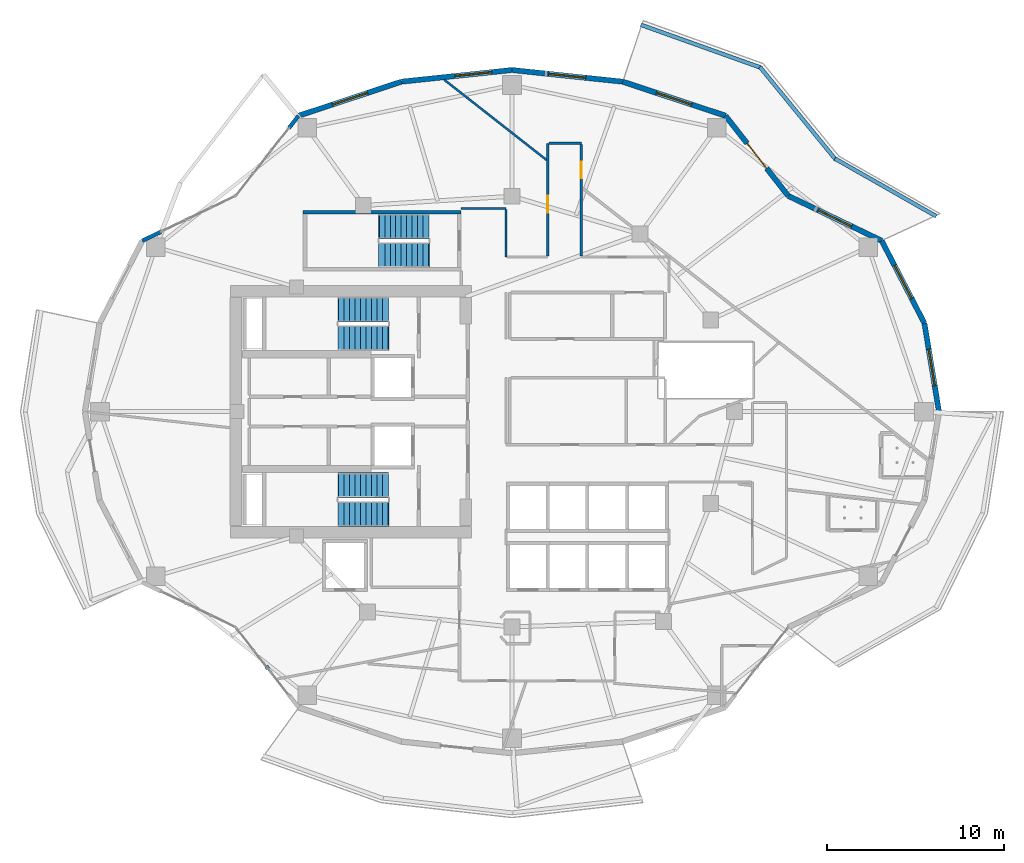
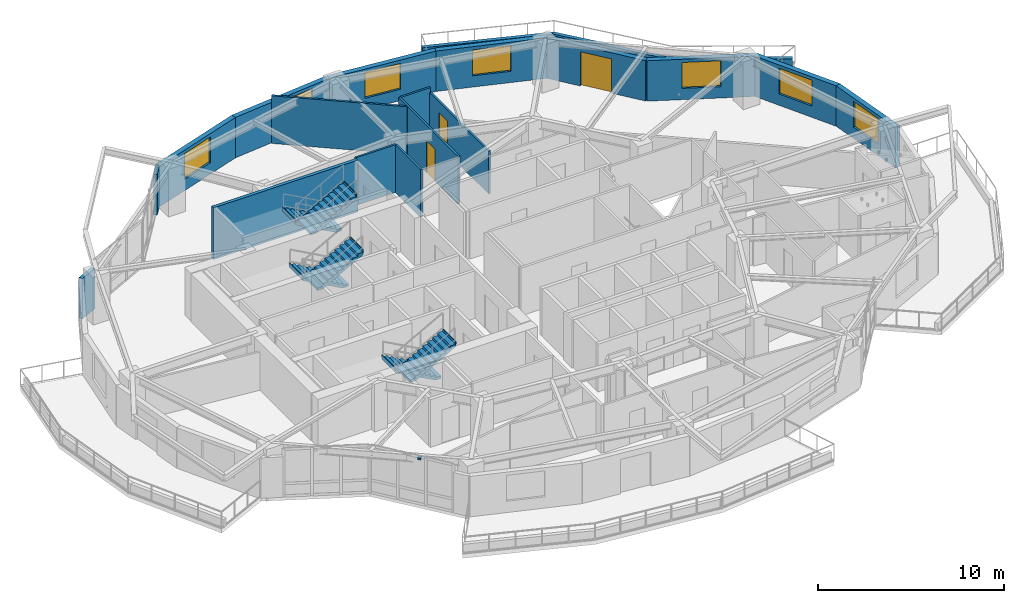
# One storey, part 11 of 18: 20 walls, 7 windows, 6 stair flights, 3 doors, 1 discrete accessory, 10 openings, 3 elements without a shape of their own.
"""IFC4 building model written with IfcOpenShell, lengths in metres."""

from ifc_helpers import new_model, si_unit, direction, frame, frame_2d, origin, origin_2d, place, context, subcontext, project, spatial, polyline, rectangle, outline, extrude, material, layer, layer_set, type_object, element, fill, aggregate, save


model = new_model("IFC4")

# Units and contexts
model_context = context("Model", 3, precision=1e-05, world=origin(), true_north=direction((0.0, 1.0)))
body_context = subcontext(model_context, "Body", "Model", "MODEL_VIEW")
ifc_project = project(units=[si_unit("LENGTHUNIT", "METRE"), si_unit("AREAUNIT", "SQUARE_METRE"), si_unit("VOLUMEUNIT", "CUBIC_METRE"), si_unit("PLANEANGLEUNIT", "RADIAN"), si_unit("MASSUNIT", "GRAM", prefix="KILO")], contexts=[model_context])

# Site, building, storey
site_placement = place(None, origin())
site = spatial("IfcSite", under=ifc_project, at=site_placement, CompositionType="ELEMENT")
building_placement = place(site_placement, origin())
building = spatial("IfcBuilding", under=site, at=building_placement, Name="Kolvaren Gate Tower and Convention Centre", CompositionType="ELEMENT")
storey_placement = place(building_placement, frame((0.0, 0.0, 115.5)))
storey = spatial("IfcBuildingStorey", under=building, at=storey_placement, Name="L28", CompositionType="ELEMENT", Elevation=115.5)

# Walls
ifc_material_1 = material(Name="Fire-Rated Acoustic Gypsum Stud Partition", Category="gypsum")
ifc_layer_1 = layer(ifc_material_1, 0.1201171875)
ifc_layer_set_1 = layer_set([ifc_layer_1], Name="Fire-Rated Acoustic Gypsum Stud Partition")
wall_type_1 = type_object("IfcWallType", Name="ARCH-WL-PART-120", PredefinedType="PARTITIONING", material=ifc_layer_set_1)
wall_1_placement = place(storey_placement, frame((27.25, 38.5, 0.0), z_axis=(0.0, 0.0, 1.0), x_axis=(1.0, 0.0, 0.0)))
element("IfcWall", 1, at=wall_1_placement, inside=storey, type_object=wall_type_1, Name="Interior Partition WL-L28-INT-029", PredefinedType="PARTITIONING", context=body_context, shape_type="SweptSolid", body=[
    extrude(rectangle(XDim=2.530029296875, YDim=0.1201171875, at=frame_2d((1.26513671875, 0.0))), origin(), (0.0, 0.0, 1.0), 3.1298828125),
])
wall_2_placement = place(storey_placement, frame((29.780029296875, 35.75, 0.0), z_axis=(0.0, 0.0, 1.0), x_axis=(0.0, 1.0, 0.0)))
element("IfcWall", 2, at=wall_2_placement, inside=storey, type_object=wall_type_1, Name="Interior Partition WL-L28-INT-033", PredefinedType="PARTITIONING", context=body_context, shape_type="SweptSolid", body=[
    extrude(rectangle(XDim=2.68798828125, YDim=0.1201171875, at=frame_2d((1.343994140625, 0.0))), origin(), (0.0, 0.0, 1.0), 3.1298828125),
])

# Wall, opening, door
wall_3_placement = place(storey_placement, frame((32.14990234375, 35.81201171875, 0.0), z_axis=(0.0, 0.0, 1.0), x_axis=(0.0, 1.0, 0.0)))
wall_3 = element("IfcWall", 3, at=wall_3_placement, inside=storey, type_object=wall_type_1, Name="Interior Partition WL-L28-INT-036", PredefinedType="PARTITIONING", context=body_context, shape_type="SweptSolid", body=[
    extrude(rectangle(XDim=6.387939453125, YDim=0.1201171875, at=frame_2d((3.19384765625, 0.0))), origin(), (0.0, 0.0, 1.0), 3.1298828125),
])
opening_1_placement = place(wall_3_placement, frame((2.45751953125, 0.0, 0.0)))
opening_1 = element("IfcOpeningElement", 4, at=opening_1_placement, cuts=wall_3, Name="Opening DR-01", PredefinedType="OPENING", context=body_context, shape_type="SweptSolid", body=[
    extrude(rectangle(XDim=0.949951171875, YDim=2.10009765625, at=frame_2d((0.47509765625, 1.050048828125))), frame((0.0, 0.070068359375, 0.0), z_axis=(0.0, -1.0, 0.0), x_axis=(1.0, 0.0, 0.0)), (0.0, 0.0, 1.0), 0.14013671875),
])
ifc_material_2 = material(Name="Painted Architectural Steelwork ASTM A500 Grade C 345 MPa", Category="steel")
door_type_1 = type_object("IfcDoorType", Name="ARCH-DR-RISER-950", OperationType="SINGLE_SWING_RIGHT", PredefinedType="DOOR", material=ifc_material_2)
door_1_placement = place(opening_1_placement, origin())
door_1 = element("IfcDoor", 5, at=door_1_placement, inside=storey, type_object=door_type_1, Name="Hotel Botanical Clubroom Door", OperationType="SINGLE_SWING_RIGHT", OverallHeight=2.10009765625, OverallWidth=0.949951171875, PredefinedType="DOOR", context=body_context, shape_type="SweptSolid", body=[
    extrude(rectangle(XDim=0.949951171875, YDim=2.10009765625, at=frame_2d((0.47509765625, 1.050048828125))), frame((0.0, 0.02490234375, 0.0), z_axis=(0.0, -1.0, 0.0), x_axis=(1.0, 0.0, 0.0)), (0.0, 0.0, 1.0), 0.050048828125),
])
fill(opening_1, door_1)

# Wall
wall_4_placement = place(storey_placement, frame((32.2119140625, 42.199951171875, 0.0), z_axis=(0.0, 0.0, 1.0), x_axis=(1.0, 0.0, 0.0)))
element("IfcWall", 6, at=wall_4_placement, inside=storey, type_object=wall_type_1, Name="Interior Partition WL-L28-INT-037", PredefinedType="PARTITIONING", context=body_context, shape_type="SweptSolid", body=[
    extrude(rectangle(XDim=1.838134765625, YDim=0.1201171875, at=frame_2d((0.9189453125, 0.0))), origin(), (0.0, 0.0, 1.0), 3.1298828125),
])

# Wall, opening, door
wall_5_placement = place(storey_placement, frame((34.050048828125, 35.81201171875, 0.0), z_axis=(0.0, 0.0, 1.0), x_axis=(0.0, 1.0, 0.0)))
wall_5 = element("IfcWall", 7, at=wall_5_placement, inside=storey, type_object=wall_type_1, Name="Interior Partition WL-L28-INT-038", PredefinedType="PARTITIONING", context=body_context, shape_type="SweptSolid", body=[
    extrude(rectangle(XDim=6.325927734375, YDim=0.1201171875, at=frame_2d((3.1630859375, 0.0))), origin(), (0.0, 0.0, 1.0), 2.81201171875),
])
opening_2_placement = place(wall_5_placement, frame((4.400390625, 0.0, 0.0)))
opening_2 = element("IfcOpeningElement", 8, at=opening_2_placement, cuts=wall_5, Name="Opening DR-01", PredefinedType="OPENING", context=body_context, shape_type="SweptSolid", body=[
    extrude(rectangle(XDim=0.949951171875, YDim=2.10009765625, at=frame_2d((0.47509765625, 1.050048828125))), frame((0.0, 0.070068359375, 0.0), z_axis=(0.0, -1.0, 0.0), x_axis=(1.0, 0.0, 0.0)), (0.0, 0.0, 1.0), 0.14013671875),
])
door_2_placement = place(opening_2_placement, origin())
door_2 = element("IfcDoor", 9, at=door_2_placement, inside=storey, type_object=door_type_1, Name="Hotel Botanical Clubroom Door", OperationType="SINGLE_SWING_LEFT", OverallHeight=2.10009765625, OverallWidth=0.949951171875, PredefinedType="DOOR", context=body_context, shape_type="SweptSolid", body=[
    extrude(rectangle(XDim=0.949951171875, YDim=2.10009765625, at=frame_2d((0.47509765625, 1.050048828125))), frame((0.0, 0.02490234375, 0.0), z_axis=(0.0, -1.0, 0.0), x_axis=(1.0, 0.0, 0.0)), (0.0, 0.0, 1.0), 0.050048828125),
])
fill(opening_2, door_2)

# Walls
wall_6_placement = place(storey_placement, frame((26.292236328125, 45.79345703125, 0.0), z_axis=(0.0, 0.0, 1.0), x_axis=(0.786866672651, -0.617123034307, 0.0)))
element("IfcWall", 10, at=wall_6_placement, inside=storey, type_object=wall_type_1, Name="Interior Partition WL-L28-INT-067", PredefinedType="PARTITIONING", context=body_context, shape_type="SweptSolid", body=[
    extrude(rectangle(XDim=7.365478515625, YDim=0.1201171875, at=frame_2d((3.6826171875, 0.0))), origin(), (0.0, 0.0, 1.0), 3.1298828125),
])
ifc_material_3 = material(Name="Bogota Sabana Bush-Hammered Sandstone Cladding", Category="masonry")
ifc_layer_2 = layer(ifc_material_3, 0.219970703125)
ifc_layer_set_2 = layer_set([ifc_layer_2], Name="Bogota Sabana Bush-Hammered Sandstone Cladding")
wall_type_2 = type_object("IfcWallType", Name="ARCH-WL-PIER-220", PredefinedType="SOLIDWALL", material=ifc_layer_set_2)
wall_7_placement = place(storey_placement, frame((17.491455078125, 43.06787109375, 0.0), z_axis=(0.0, 0.0, 1.0), x_axis=(0.616330810297, 0.787487353726, 0.0)))
element("IfcWall", 11, at=wall_7_placement, inside=storey, type_object=wall_type_2, Name="Tower L28 Unitised Curtain Wall CW-HTL-UNIT Bay 08 Right Column Pier Wrap", PredefinedType="SOLIDWALL", context=body_context, shape_type="SweptSolid", body=[
    extrude(rectangle(XDim=0.875732421875, YDim=0.219970703125, at=frame_2d((0.43798828125, 0.0))), origin(), (0.0, 0.0, 1.0), 2.653076171875),
])
wall_8_placement = place(storey_placement, frame((9.177978515625, 36.675048828125, 0.0), z_axis=(0.0, 0.0, 1.0), x_axis=(0.901426247285, 0.432932697664, 0.0)))
element("IfcWall", 12, at=wall_8_placement, inside=storey, type_object=wall_type_2, Name="Tower L28 Unitised Curtain Wall CW-HTL-UNIT Bay 09 Left Column Pier Wrap", PredefinedType="SOLIDWALL", context=body_context, shape_type="SweptSolid", body=[
    extrude(rectangle(XDim=1.180908203125, YDim=0.219970703125, at=frame_2d((0.59033203125, 0.0))), origin(), (0.0, 0.0, 1.0), 2.653076171875),
])
ifc_material_4 = material(Name="Piedmont Cream Honed Limestone Cladding", Category="masonry")
ifc_layer_3 = layer(ifc_material_4, 0.219970703125)
ifc_layer_set_3 = layer_set([ifc_layer_3], Name="Piedmont Cream Honed Limestone Cladding")
wall_type_3 = type_object("IfcWallType", Name="ARCH-WL-PLANTER-220", PredefinedType="PARAPET", material=ifc_layer_set_3)
wall_9_placement = place(storey_placement, frame((48.41259765625, 41.332275390625, 0.0), z_axis=(0.0, 0.0, 1.0), x_axis=(0.869187658335, -0.494482370361, 0.0)))
element("IfcWall", 13, at=wall_9_placement, inside=storey, type_object=wall_type_3, Name="Vertical-Forest Balcony Stone Planter Kerb PK-L28-1.1", PredefinedType="PARAPET", context=body_context, shape_type="SweptSolid", body=[
    extrude(rectangle(XDim=6.606201171875, YDim=0.219970703125, at=frame_2d((3.30322265625, 0.0))), origin(), (0.0, 0.0, 1.0), 0.52001953125),
])
wall_10_placement = place(storey_placement, frame((44.1669921875, 46.523193359375, 0.0), z_axis=(0.0, 0.0, 1.0), x_axis=(0.633002467947, -0.77414977593, 0.0)))
element("IfcWall", 14, at=wall_10_placement, inside=storey, type_object=wall_type_3, Name="Vertical-Forest Balcony Stone Planter Kerb PK-L28-1.2", PredefinedType="PARAPET", context=body_context, shape_type="SweptSolid", body=[
    extrude(rectangle(XDim=6.7802734375, YDim=0.219970703125, at=frame_2d((3.39013671875, 0.0))), origin(), (0.0, 0.0, 1.0), 0.52001953125),
])
wall_11_placement = place(storey_placement, frame((37.4189453125, 48.91259765625, 0.0), z_axis=(0.0, 0.0, 1.0), x_axis=(0.941632697311, -0.336642040387, 0.0)))
element("IfcWall", 15, at=wall_11_placement, inside=storey, type_object=wall_type_3, Name="Vertical-Forest Balcony Stone Planter Kerb PK-L28-1.3", PredefinedType="PARAPET", context=body_context, shape_type="SweptSolid", body=[
    extrude(rectangle(XDim=7.235595703125, YDim=0.219970703125, at=frame_2d((3.61767578125, 0.0))), origin(), (0.0, 0.0, 1.0), 0.52001953125),
])

# Wall, opening, window
ifc_layer_4 = layer(ifc_material_4, 0.300048828125)
ifc_layer_set_4 = layer_set([ifc_layer_4], Name="Piedmont Cream Honed Limestone Cladding")
wall_type_4 = type_object("IfcWallType", Name="ARCH-WL-STONE-300", PredefinedType="SOLIDWALL", material=ifc_layer_set_4)
wall_12_placement = place(storey_placement, frame((53.48828125, 32.008056640625, 0.0), z_axis=(0.0, 0.0, 1.0), x_axis=(0.162393944769, -0.986726003864, 0.0)))
wall_12 = element("IfcWall", 16, at=wall_12_placement, inside=storey, type_object=wall_type_4, Name="Tower L28 Honed Stone Spandrel Wall EW-00", PredefinedType="SOLIDWALL", context=body_context, shape_type="SweptSolid", body=[
    extrude(rectangle(XDim=5.075439453125, YDim=0.300048828125, at=frame_2d((2.53759765625, 0.0))), origin(), (0.0, 0.0, 1.0), 2.653076171875),
])
opening_3_placement = place(wall_12_placement, frame((1.488037109375, 0.0, 0.739990234375)))
opening_3 = element("IfcOpeningElement", 17, at=opening_3_placement, cuts=wall_12, Name="Opening W-02", PredefinedType="OPENING", context=body_context, shape_type="SweptSolid", body=[
    extrude(rectangle(XDim=2.10009765625, YDim=1.699951171875, at=frame_2d((1.050048828125, 0.85009765625))), frame((0.0, 0.159912109375, 0.0), z_axis=(0.0, -1.0, 0.0), x_axis=(1.0, 0.0, 0.0)), (0.0, 0.0, 1.0), 0.320068359375),
])
ifc_material_5 = material(Name="Low-E Triple Insulated Glazing Unit 44 mm", Category="glass")
window_type = type_object("IfcWindowType", Name="ARCH-WN-HTL-2100", PartitioningType="SINGLE_PANEL", PredefinedType="WINDOW", material=ifc_material_5)
window_1_placement = place(opening_3_placement, origin())
window_1 = element("IfcWindow", 18, at=window_1_placement, inside=storey, type_object=window_type, Name="Tower L28 Punched Stone Facade Window W-00", OverallHeight=1.699951171875, OverallWidth=2.10009765625, PartitioningType="SINGLE_PANEL", PredefinedType="WINDOW", context=body_context, shape_type="SweptSolid", body=[
    extrude(rectangle(XDim=2.10009765625, YDim=1.699951171875, at=frame_2d((1.050048828125, 0.85009765625))), frame((0.0, 0.030029296875, 0.0), z_axis=(0.0, -1.0, 0.0), x_axis=(1.0, 0.0, 0.0)), (0.0, 0.0, 1.0), 0.06005859375),
])
fill(opening_3, window_1)

wall_13_placement = place(storey_placement, frame((51.072021484375, 36.675048828125, 0.0), z_axis=(0.0, 0.0, 1.0), x_axis=(0.459767899643, -0.888039119892, 0.0)))
wall_13 = element("IfcWall", 19, at=wall_13_placement, inside=storey, type_object=wall_type_4, Name="Tower L28 Honed Stone Spandrel Wall EW-01", PredefinedType="SOLIDWALL", context=body_context, shape_type="SweptSolid", body=[
    extrude(rectangle(XDim=5.25537109375, YDim=0.300048828125, at=frame_2d((2.627685546875, 0.0))), origin(), (0.0, 0.0, 1.0), 2.653076171875),
])
opening_4_placement = place(wall_13_placement, frame((1.577880859375, 0.0, 0.739990234375)))
opening_4 = element("IfcOpeningElement", 20, at=opening_4_placement, cuts=wall_13, Name="Opening W-02", PredefinedType="OPENING", context=body_context, shape_type="SweptSolid", body=[
    extrude(rectangle(XDim=2.10009765625, YDim=1.699951171875, at=frame_2d((1.050048828125, 0.85009765625))), frame((0.0, 0.159912109375, 0.0), z_axis=(0.0, -1.0, 0.0), x_axis=(1.0, 0.0, 0.0)), (0.0, 0.0, 1.0), 0.320068359375),
])
window_2_placement = place(opening_4_placement, origin())
window_2 = element("IfcWindow", 21, at=window_2_placement, inside=storey, type_object=window_type, Name="Tower L28 Punched Stone Facade Window W-01", OverallHeight=1.699951171875, OverallWidth=2.10009765625, PartitioningType="SINGLE_PANEL", PredefinedType="WINDOW", context=body_context, shape_type="SweptSolid", body=[
    extrude(rectangle(XDim=2.10009765625, YDim=1.699951171875, at=frame_2d((1.050048828125, 0.85009765625))), frame((0.0, 0.030029296875, 0.0), z_axis=(0.0, -1.0, 0.0), x_axis=(1.0, 0.0, 0.0)), (0.0, 0.0, 1.0), 0.06005859375),
])
fill(opening_4, window_2)

wall_14_placement = place(storey_placement, frame((45.768798828125, 39.222900390625, 0.0), z_axis=(0.0, 0.0, 1.0), x_axis=(0.901370184739, -0.433049408339, 0.0)))
wall_14 = element("IfcWall", 22, at=wall_14_placement, inside=storey, type_object=wall_type_4, Name="Tower L28 Honed Stone Spandrel Wall EW-02", PredefinedType="SOLIDWALL", context=body_context, shape_type="SweptSolid", body=[
    extrude(rectangle(XDim=5.883544921875, YDim=0.300048828125, at=frame_2d((2.94189453125, 0.0))), origin(), (0.0, 0.0, 1.0), 2.653076171875),
])
opening_5_placement = place(wall_14_placement, frame((1.89208984375, 0.0, 0.739990234375)))
opening_5 = element("IfcOpeningElement", 23, at=opening_5_placement, cuts=wall_14, Name="Opening W-02", PredefinedType="OPENING", context=body_context, shape_type="SweptSolid", body=[
    extrude(rectangle(XDim=2.10009765625, YDim=1.699951171875, at=frame_2d((1.050048828125, 0.85009765625))), frame((0.0, 0.159912109375, 0.0), z_axis=(0.0, -1.0, 0.0), x_axis=(1.0, 0.0, 0.0)), (0.0, 0.0, 1.0), 0.320068359375),
])
window_3_placement = place(opening_5_placement, origin())
window_3 = element("IfcWindow", 24, at=window_3_placement, inside=storey, type_object=window_type, Name="Tower L28 Punched Stone Facade Window W-02", OverallHeight=1.699951171875, OverallWidth=2.10009765625, PartitioningType="SINGLE_PANEL", PredefinedType="WINDOW", context=body_context, shape_type="SweptSolid", body=[
    extrude(rectangle(XDim=2.10009765625, YDim=1.699951171875, at=frame_2d((1.050048828125, 0.85009765625))), frame((0.0, 0.030029296875, 0.0), z_axis=(0.0, -1.0, 0.0), x_axis=(1.0, 0.0, 0.0)), (0.0, 0.0, 1.0), 0.06005859375),
])
fill(opening_5, window_3)

# Wall, opening, door
wall_15_placement = place(storey_placement, frame((42.21875, 43.757568359375, 0.0), z_axis=(0.0, 0.0, 1.0), x_axis=(0.616435134162, -0.787405693001, 0.0)))
wall_15 = element("IfcWall", 25, at=wall_15_placement, inside=storey, type_object=wall_type_4, Name="Tower L28 Honed Stone Spandrel Wall EW-03", PredefinedType="SOLIDWALL", context=body_context, shape_type="SweptSolid", body=[
    extrude(rectangle(XDim=5.759033203125, YDim=0.300048828125, at=frame_2d((2.87939453125, 0.0))), origin(), (0.0, 0.0, 1.0), 2.653076171875),
])
opening_6_placement = place(wall_15_placement, frame((1.97900390625, 0.0, 0.0)))
opening_6 = element("IfcOpeningElement", 26, at=opening_6_placement, cuts=wall_15, Name="Opening DB-01", PredefinedType="OPENING", context=body_context, shape_type="SweptSolid", body=[
    extrude(rectangle(XDim=1.800048828125, YDim=2.25, at=frame_2d((0.89990234375, 1.125))), frame((0.0, 0.159912109375, 0.0), z_axis=(0.0, -1.0, 0.0), x_axis=(1.0, 0.0, 0.0)), (0.0, 0.0, 1.0), 0.320068359375),
])
ifc_material_6 = material(Name="Anodized Architectural Aluminium Alloy 6063-T6", Category="aluminium")
door_type_2 = type_object("IfcDoorType", Name="ARCH-DR-BALC-1800", OperationType="SLIDING_TO_LEFT", PredefinedType="DOOR", material=ifc_material_6)
door_3_placement = place(opening_6_placement, origin())
door_3 = element("IfcDoor", 27, at=door_3_placement, inside=storey, type_object=door_type_2, Name="Planted Sky Terrace Access Door DB-L28-03", OperationType="SLIDING_TO_LEFT", OverallHeight=2.25, OverallWidth=1.800048828125, PredefinedType="DOOR", context=body_context, shape_type="SweptSolid", body=[
    extrude(rectangle(XDim=1.800048828125, YDim=2.25, at=frame_2d((0.89990234375, 1.125))), frame((0.0, 0.02490234375, 0.0), z_axis=(0.0, -1.0, 0.0), x_axis=(1.0, 0.0, 0.0)), (0.0, 0.0, 1.0), 0.050048828125),
])
fill(opening_6, door_3)

# Wall, opening, window
wall_16_placement = place(storey_placement, frame((36.38525390625, 45.690673828125, 0.0), z_axis=(0.0, 0.0, 1.0), x_axis=(0.949238009374, -0.314558741032, 0.0)))
wall_16 = element("IfcWall", 28, at=wall_16_placement, inside=storey, type_object=wall_type_4, Name="Tower L28 Honed Stone Spandrel Wall EW-04", PredefinedType="SOLIDWALL", context=body_context, shape_type="SweptSolid", body=[
    extrude(rectangle(XDim=6.1455078125, YDim=0.300048828125, at=frame_2d((3.07275390625, 0.0))), origin(), (0.0, 0.0, 1.0), 2.653076171875),
])
opening_7_placement = place(wall_16_placement, frame((2.02294921875, 0.0, 0.739990234375)))
opening_7 = element("IfcOpeningElement", 29, at=opening_7_placement, cuts=wall_16, Name="Opening W-02", PredefinedType="OPENING", context=body_context, shape_type="SweptSolid", body=[
    extrude(rectangle(XDim=2.10009765625, YDim=1.699951171875, at=frame_2d((1.050048828125, 0.85009765625))), frame((0.0, 0.159912109375, 0.0), z_axis=(0.0, -1.0, 0.0), x_axis=(1.0, 0.0, 0.0)), (0.0, 0.0, 1.0), 0.320068359375),
])
window_4_placement = place(opening_7_placement, origin())
window_4 = element("IfcWindow", 30, at=window_4_placement, inside=storey, type_object=window_type, Name="Tower L28 Punched Stone Facade Window W-04", OverallHeight=1.699951171875, OverallWidth=2.10009765625, PartitioningType="SINGLE_PANEL", PredefinedType="WINDOW", context=body_context, shape_type="SweptSolid", body=[
    extrude(rectangle(XDim=2.10009765625, YDim=1.699951171875, at=frame_2d((1.050048828125, 0.85009765625))), frame((0.0, 0.030029296875, 0.0), z_axis=(0.0, -1.0, 0.0), x_axis=(1.0, 0.0, 0.0)), (0.0, 0.0, 1.0), 0.06005859375),
])
fill(opening_7, window_4)

wall_17_placement = place(storey_placement, frame((30.125, 46.35009765625, 0.0), z_axis=(0.0, 0.0, 1.0), x_axis=(0.994498012394, -0.104755445421, 0.0)))
wall_17 = element("IfcWall", 31, at=wall_17_placement, inside=storey, type_object=wall_type_4, Name="Tower L28 Honed Stone Spandrel Wall EW-05", PredefinedType="SOLIDWALL", context=body_context, shape_type="SweptSolid", body=[
    extrude(rectangle(XDim=6.294921875, YDim=0.300048828125, at=frame_2d((3.1474609375, 0.0))), origin(), (0.0, 0.0, 1.0), 2.653076171875),
])
opening_8_placement = place(wall_17_placement, frame((2.096923828125, 0.0, 0.739990234375)))
opening_8 = element("IfcOpeningElement", 32, at=opening_8_placement, cuts=wall_17, Name="Opening W-02", PredefinedType="OPENING", context=body_context, shape_type="SweptSolid", body=[
    extrude(rectangle(XDim=2.10009765625, YDim=1.699951171875, at=frame_2d((1.050048828125, 0.85009765625))), frame((0.0, 0.159912109375, 0.0), z_axis=(0.0, -1.0, 0.0), x_axis=(1.0, 0.0, 0.0)), (0.0, 0.0, 1.0), 0.320068359375),
])
window_5_placement = place(opening_8_placement, origin())
window_5 = element("IfcWindow", 33, at=window_5_placement, inside=storey, type_object=window_type, Name="Tower L28 Punched Stone Facade Window W-05", OverallHeight=1.699951171875, OverallWidth=2.10009765625, PartitioningType="SINGLE_PANEL", PredefinedType="WINDOW", context=body_context, shape_type="SweptSolid", body=[
    extrude(rectangle(XDim=2.10009765625, YDim=1.699951171875, at=frame_2d((1.050048828125, 0.85009765625))), frame((0.0, 0.030029296875, 0.0), z_axis=(0.0, -1.0, 0.0), x_axis=(1.0, 0.0, 0.0)), (0.0, 0.0, 1.0), 0.06005859375),
])
fill(opening_8, window_5)

wall_18_placement = place(storey_placement, frame((23.86474609375, 45.690673828125, 0.0), z_axis=(0.0, 0.0, 1.0), x_axis=(0.994498012394, 0.104755445421, 0.0)))
wall_18 = element("IfcWall", 34, at=wall_18_placement, inside=storey, type_object=wall_type_4, Name="Tower L28 Honed Stone Spandrel Wall EW-06", PredefinedType="SOLIDWALL", context=body_context, shape_type="SweptSolid", body=[
    extrude(rectangle(XDim=6.294921875, YDim=0.300048828125, at=frame_2d((3.1474609375, 0.0))), origin(), (0.0, 0.0, 1.0), 2.653076171875),
])
opening_9_placement = place(wall_18_placement, frame((3.050048828125, 0.0, 0.739990234375)))
opening_9 = element("IfcOpeningElement", 35, at=opening_9_placement, cuts=wall_18, Name="Opening W-02", PredefinedType="OPENING", context=body_context, shape_type="SweptSolid", body=[
    extrude(rectangle(XDim=2.10009765625, YDim=1.699951171875, at=frame_2d((1.050048828125, 0.85009765625))), frame((0.0, 0.159912109375, 0.0), z_axis=(0.0, -1.0, 0.0), x_axis=(1.0, 0.0, 0.0)), (0.0, 0.0, 1.0), 0.320068359375),
])
window_6_placement = place(opening_9_placement, origin())
window_6 = element("IfcWindow", 36, at=window_6_placement, inside=storey, type_object=window_type, Name="Tower L28 Punched Stone Facade Window W-06", OverallHeight=1.699951171875, OverallWidth=2.10009765625, PartitioningType="SINGLE_PANEL", PredefinedType="WINDOW", context=body_context, shape_type="SweptSolid", body=[
    extrude(rectangle(XDim=2.10009765625, YDim=1.699951171875, at=frame_2d((1.050048828125, 0.85009765625))), frame((0.0, 0.030029296875, 0.0), z_axis=(0.0, -1.0, 0.0), x_axis=(1.0, 0.0, 0.0)), (0.0, 0.0, 1.0), 0.06005859375),
])
fill(opening_9, window_6)

wall_19_placement = place(storey_placement, frame((18.03125, 43.757568359375, 0.0), z_axis=(0.0, 0.0, 1.0), x_axis=(0.949238009374, 0.314558741032, 0.0)))
wall_19 = element("IfcWall", 37, at=wall_19_placement, inside=storey, type_object=wall_type_4, Name="Tower L28 Honed Stone Spandrel Wall EW-07", PredefinedType="SOLIDWALL", context=body_context, shape_type="SweptSolid", body=[
    extrude(rectangle(XDim=6.1455078125, YDim=0.300048828125, at=frame_2d((3.07275390625, 0.0))), origin(), (0.0, 0.0, 1.0), 2.653076171875),
])
opening_10_placement = place(wall_19_placement, frame((2.02294921875, 0.0, 0.739990234375)))
opening_10 = element("IfcOpeningElement", 38, at=opening_10_placement, cuts=wall_19, Name="Opening W-02", PredefinedType="OPENING", context=body_context, shape_type="SweptSolid", body=[
    extrude(rectangle(XDim=2.10009765625, YDim=1.699951171875, at=frame_2d((1.050048828125, 0.85009765625))), frame((0.0, 0.159912109375, 0.0), z_axis=(0.0, -1.0, 0.0), x_axis=(1.0, 0.0, 0.0)), (0.0, 0.0, 1.0), 0.320068359375),
])
window_7_placement = place(opening_10_placement, origin())
window_7 = element("IfcWindow", 39, at=window_7_placement, inside=storey, type_object=window_type, Name="Tower L28 Punched Stone Facade Window W-07", OverallHeight=1.699951171875, OverallWidth=2.10009765625, PartitioningType="SINGLE_PANEL", PredefinedType="WINDOW", context=body_context, shape_type="SweptSolid", body=[
    extrude(rectangle(XDim=2.10009765625, YDim=1.699951171875, at=frame_2d((1.050048828125, 0.85009765625))), frame((0.0, 0.030029296875, 0.0), z_axis=(0.0, -1.0, 0.0), x_axis=(1.0, 0.0, 0.0)), (0.0, 0.0, 1.0), 0.06005859375),
])
fill(opening_10, window_7)

# Wall
ifc_material_7 = material(Name="Concrete C50/60", Category="concrete")
ifc_layer_5 = layer(ifc_material_7, 0.199951171875)
ifc_layer_set_5 = layer_set([ifc_layer_5], Name="Concrete C50/60")
wall_type_5 = type_object("IfcWallType", Name="STR-WL-SHAFT-200", PredefinedType="SHEAR", material=ifc_layer_set_5)
wall_20_placement = place(storey_placement, frame((18.300048828125, 38.300048828125, -0.27001953125), z_axis=(0.0, 0.0, 1.0), x_axis=(1.0, 0.0, 0.0)))
element("IfcWall", 40, at=wall_20_placement, inside=storey, type_object=wall_type_5, Name="Tower Mid-Zone Exit Stair ST-T3 L28 Structural Shear Enclosure Wall LEFT", PredefinedType="SHEAR", context=body_context, shape_type="SweptSolid", body=[
    extrude(rectangle(XDim=8.949951171875, YDim=0.199951171875, at=frame_2d((4.47509765625, 0.0))), origin(), (0.0, 0.0, 1.0), 3.39990234375),
])

# Stair, stair flights
stair_type = type_object("IfcStairType", Name="STR-STAIR-CORE", PredefinedType="HALF_TURN_STAIR", material=ifc_material_7)
stair_1_placement = place(storey_placement, origin())
stair_1 = element("IfcStair", 41, at=stair_1_placement, inside=storey, type_object=stair_type, Name="L28 Tower North Exit Stair ST-T1", PredefinedType="HALF_TURN_STAIR")
stair_flight_type = type_object("IfcStairFlightType", Name="STR-SFL-1420", PredefinedType="STRAIGHT", material=ifc_material_7)
stair_flight_1_placement = place(storey_placement, frame((23.10009765625, 32.7900390625, 0.0), z_axis=(0.0, 0.0, 1.0), x_axis=(-1.0, 0.0, 0.0)))
stair_flight_1 = element("IfcStairFlight", 42, at=stair_flight_1_placement, type_object=stair_flight_type, Name="ST-T1 flight 1", NumberOfRisers=10, NumberOfTreads=9, PredefinedType="STRAIGHT", RiserHeight=0.17, TreadLength=0.31, context=body_context, shape_type="SweptSolid", body=[
    extrude(outline(polyline([(-0.034912109375, 0.0), (-0.034912109375, 0.169921875), (0.31005859375, 0.169921875), (0.31005859375, 0.340087890625), (0.6201171875, 0.340087890625), (0.6201171875, 0.510009765625), (0.929931640625, 0.510009765625), (0.929931640625, 0.679931640625), (1.239990234375, 0.679931640625), (1.239990234375, 0.85009765625), (1.550048828125, 0.85009765625), (1.550048828125, 1.02001953125), (1.860107421875, 1.02001953125), (1.860107421875, 1.18994140625), (2.169921875, 1.18994140625), (2.169921875, 1.360107421875), (2.47998046875, 1.360107421875), (2.47998046875, 1.530029296875), (2.7900390625, 1.530029296875), (2.7900390625, 1.699951171875), (2.8349609375, 1.699951171875), (2.8349609375, 1.5400390625), (2.7900390625, 1.359130859375), (0.311767578125, 0.0), (-0.034912109375, 0.0)])), frame((0.0, 0.7099609375, 0.0), z_axis=(0.0, -1.0, 0.0), x_axis=(1.0, 0.0, 0.0)), (0.0, 0.0, 1.0), 1.419921875),
])
stair_flight_2_placement = place(storey_placement, frame((20.31005859375, 31.169921875, 1.699951171875), z_axis=(0.0, 0.0, 1.0), x_axis=(1.0, 0.0, 0.0)))
stair_flight_2 = element("IfcStairFlight", 43, at=stair_flight_2_placement, type_object=stair_flight_type, Name="ST-T1 flight 2", NumberOfRisers=10, NumberOfTreads=9, PredefinedType="STRAIGHT", RiserHeight=0.17, TreadLength=0.31, context=body_context, shape_type="SweptSolid", body=[
    extrude(outline(polyline([(-0.034912109375, 0.0), (-0.034912109375, 0.169921875), (0.31005859375, 0.169921875), (0.31005859375, 0.340087890625), (0.6201171875, 0.340087890625), (0.6201171875, 0.510009765625), (0.929931640625, 0.510009765625), (0.929931640625, 0.679931640625), (1.239990234375, 0.679931640625), (1.239990234375, 0.85009765625), (1.550048828125, 0.85009765625), (1.550048828125, 1.02001953125), (1.860107421875, 1.02001953125), (1.860107421875, 1.18994140625), (2.169921875, 1.18994140625), (2.169921875, 1.360107421875), (2.47998046875, 1.360107421875), (2.47998046875, 1.530029296875), (2.7900390625, 1.530029296875), (2.7900390625, 1.699951171875), (2.8349609375, 1.699951171875), (2.8349609375, 1.5400390625), (2.7900390625, 1.359130859375), (0.311767578125, 0.0), (-0.034912109375, 0.0)])), frame((0.0, 0.7099609375, 0.0), z_axis=(0.0, -1.0, 0.0), x_axis=(1.0, 0.0, 0.0)), (0.0, 0.0, 1.0), 1.419921875),
])
aggregate(stair_1, [stair_flight_1, stair_flight_2])

stair_2_placement = place(storey_placement, origin())
stair_2 = element("IfcStair", 44, at=stair_2_placement, inside=storey, type_object=stair_type, Name="L28 Tower South Exit Stair ST-T2", PredefinedType="HALF_TURN_STAIR")
stair_flight_3_placement = place(storey_placement, frame((23.10009765625, 22.830078125, 0.0), z_axis=(0.0, 0.0, 1.0), x_axis=(-1.0, 0.0, 0.0)))
stair_flight_3 = element("IfcStairFlight", 45, at=stair_flight_3_placement, type_object=stair_flight_type, Name="ST-T2 flight 1", NumberOfRisers=10, NumberOfTreads=9, PredefinedType="STRAIGHT", RiserHeight=0.17, TreadLength=0.31, context=body_context, shape_type="SweptSolid", body=[
    extrude(outline(polyline([(-0.034912109375, 0.0), (-0.034912109375, 0.169921875), (0.31005859375, 0.169921875), (0.31005859375, 0.340087890625), (0.6201171875, 0.340087890625), (0.6201171875, 0.510009765625), (0.929931640625, 0.510009765625), (0.929931640625, 0.679931640625), (1.239990234375, 0.679931640625), (1.239990234375, 0.85009765625), (1.550048828125, 0.85009765625), (1.550048828125, 1.02001953125), (1.860107421875, 1.02001953125), (1.860107421875, 1.18994140625), (2.169921875, 1.18994140625), (2.169921875, 1.360107421875), (2.47998046875, 1.360107421875), (2.47998046875, 1.530029296875), (2.7900390625, 1.530029296875), (2.7900390625, 1.699951171875), (2.8349609375, 1.699951171875), (2.8349609375, 1.5400390625), (2.7900390625, 1.359130859375), (0.311767578125, 0.0), (-0.034912109375, 0.0)])), frame((0.0, 0.7099609375, 0.0), z_axis=(0.0, -1.0, 0.0), x_axis=(1.0, 0.0, 0.0)), (0.0, 0.0, 1.0), 1.419921875),
])
stair_flight_4_placement = place(storey_placement, frame((20.31005859375, 21.2099609375, 1.699951171875), z_axis=(0.0, 0.0, 1.0), x_axis=(1.0, 0.0, 0.0)))
stair_flight_4 = element("IfcStairFlight", 46, at=stair_flight_4_placement, type_object=stair_flight_type, Name="ST-T2 flight 2", NumberOfRisers=10, NumberOfTreads=9, PredefinedType="STRAIGHT", RiserHeight=0.17, TreadLength=0.31, context=body_context, shape_type="SweptSolid", body=[
    extrude(outline(polyline([(-0.034912109375, 0.0), (-0.034912109375, 0.169921875), (0.31005859375, 0.169921875), (0.31005859375, 0.340087890625), (0.6201171875, 0.340087890625), (0.6201171875, 0.510009765625), (0.929931640625, 0.510009765625), (0.929931640625, 0.679931640625), (1.239990234375, 0.679931640625), (1.239990234375, 0.85009765625), (1.550048828125, 0.85009765625), (1.550048828125, 1.02001953125), (1.860107421875, 1.02001953125), (1.860107421875, 1.18994140625), (2.169921875, 1.18994140625), (2.169921875, 1.360107421875), (2.47998046875, 1.360107421875), (2.47998046875, 1.530029296875), (2.7900390625, 1.530029296875), (2.7900390625, 1.699951171875), (2.8349609375, 1.699951171875), (2.8349609375, 1.5400390625), (2.7900390625, 1.359130859375), (0.311767578125, 0.0), (-0.034912109375, 0.0)])), frame((0.0, 0.7099609375, 0.0), z_axis=(0.0, -1.0, 0.0), x_axis=(1.0, 0.0, 0.0)), (0.0, 0.0, 1.0), 1.419921875),
])
aggregate(stair_2, [stair_flight_3, stair_flight_4])

stair_3_placement = place(storey_placement, origin())
stair_3 = element("IfcStair", 47, at=stair_3_placement, inside=storey, type_object=stair_type, Name="L28 Tower Mid-Zone Exit Stair ST-T3", PredefinedType="HALF_TURN_STAIR")
stair_flight_5_placement = place(storey_placement, frame((25.39990234375, 37.489990234375, 0.0), z_axis=(0.0, 0.0, 1.0), x_axis=(-1.0, 0.0, 0.0)))
stair_flight_5 = element("IfcStairFlight", 48, at=stair_flight_5_placement, type_object=stair_flight_type, Name="ST-T3 flight 1", NumberOfRisers=10, NumberOfTreads=9, PredefinedType="STRAIGHT", RiserHeight=0.17, TreadLength=0.31, context=body_context, shape_type="SweptSolid", body=[
    extrude(outline(polyline([(-0.034912109375, 0.0), (-0.034912109375, 0.169921875), (0.31005859375, 0.169921875), (0.31005859375, 0.340087890625), (0.6201171875, 0.340087890625), (0.6201171875, 0.510009765625), (0.929931640625, 0.510009765625), (0.929931640625, 0.679931640625), (1.239990234375, 0.679931640625), (1.239990234375, 0.85009765625), (1.550048828125, 0.85009765625), (1.550048828125, 1.02001953125), (1.860107421875, 1.02001953125), (1.860107421875, 1.18994140625), (2.169921875, 1.18994140625), (2.169921875, 1.360107421875), (2.47998046875, 1.360107421875), (2.47998046875, 1.530029296875), (2.7900390625, 1.530029296875), (2.7900390625, 1.699951171875), (2.8349609375, 1.699951171875), (2.8349609375, 1.5400390625), (2.7900390625, 1.359130859375), (0.311767578125, 0.0), (-0.034912109375, 0.0)])), frame((0.0, 0.7099609375, 0.0), z_axis=(0.0, -1.0, 0.0), x_axis=(1.0, 0.0, 0.0)), (0.0, 0.0, 1.0), 1.419921875),
])
stair_flight_6_placement = place(storey_placement, frame((22.610107421875, 35.8701171875, 1.699951171875), z_axis=(0.0, 0.0, 1.0), x_axis=(1.0, 0.0, 0.0)))
stair_flight_6 = element("IfcStairFlight", 49, at=stair_flight_6_placement, type_object=stair_flight_type, Name="ST-T3 flight 2", NumberOfRisers=10, NumberOfTreads=9, PredefinedType="STRAIGHT", RiserHeight=0.17, TreadLength=0.31, context=body_context, shape_type="SweptSolid", body=[
    extrude(outline(polyline([(-0.034912109375, 0.0), (-0.034912109375, 0.169921875), (0.31005859375, 0.169921875), (0.31005859375, 0.340087890625), (0.6201171875, 0.340087890625), (0.6201171875, 0.510009765625), (0.929931640625, 0.510009765625), (0.929931640625, 0.679931640625), (1.239990234375, 0.679931640625), (1.239990234375, 0.85009765625), (1.550048828125, 0.85009765625), (1.550048828125, 1.02001953125), (1.860107421875, 1.02001953125), (1.860107421875, 1.18994140625), (2.169921875, 1.18994140625), (2.169921875, 1.360107421875), (2.47998046875, 1.360107421875), (2.47998046875, 1.530029296875), (2.7900390625, 1.530029296875), (2.7900390625, 1.699951171875), (2.8349609375, 1.699951171875), (2.8349609375, 1.5400390625), (2.7900390625, 1.359130859375), (0.311767578125, 0.0), (-0.034912109375, 0.0)])), frame((0.0, 0.7099609375, 0.0), z_axis=(0.0, -1.0, 0.0), x_axis=(1.0, 0.0, 0.0)), (0.0, 0.0, 1.0), 1.419921875),
])
aggregate(stair_3, [stair_flight_5, stair_flight_6])

# Discrete accessory
discrete_accessory_type = type_object("IfcDiscreteAccessoryType", Name="ARCH-ACC-BRACKET-120", PredefinedType="BRACKET", material=ifc_material_6)
discrete_accessory_placement = place(storey_placement, frame((16.256103515625, 12.509765625, 2.949951171875), z_axis=(0.0, 0.0, 1.0), x_axis=(0.616424499081, -0.787414018756, 0.0)))
element("IfcDiscreteAccessory", 50, at=discrete_accessory_placement, inside=storey, type_object=discrete_accessory_type, Name="Solar Screen Spandrel Anchor Bracket BK-L28-15", PredefinedType="BRACKET", context=body_context, shape_type="SweptSolid", body=[
    extrude(rectangle(XDim=0.179931640625, YDim=0.219970703125, at=origin_2d()), origin(), (0.0, 0.0, 1.0), 0.1201171875),
])

save(model, "model.ifc")
